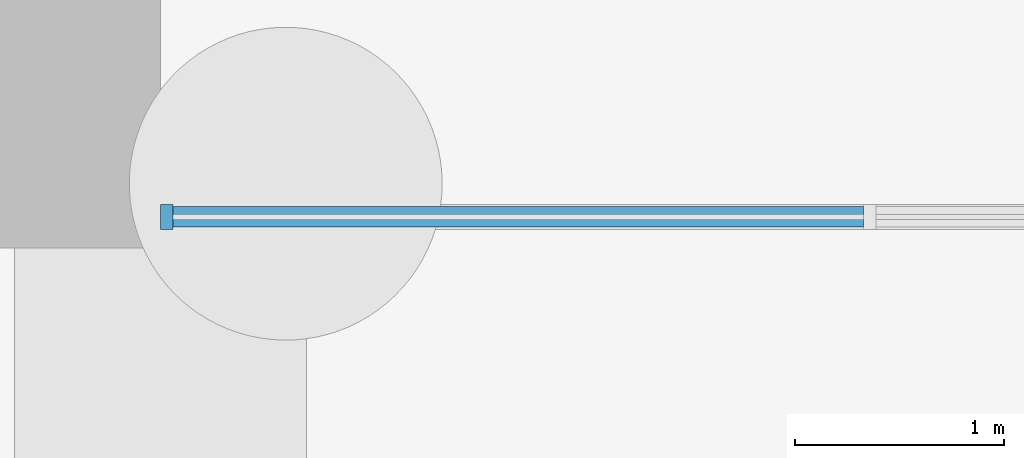
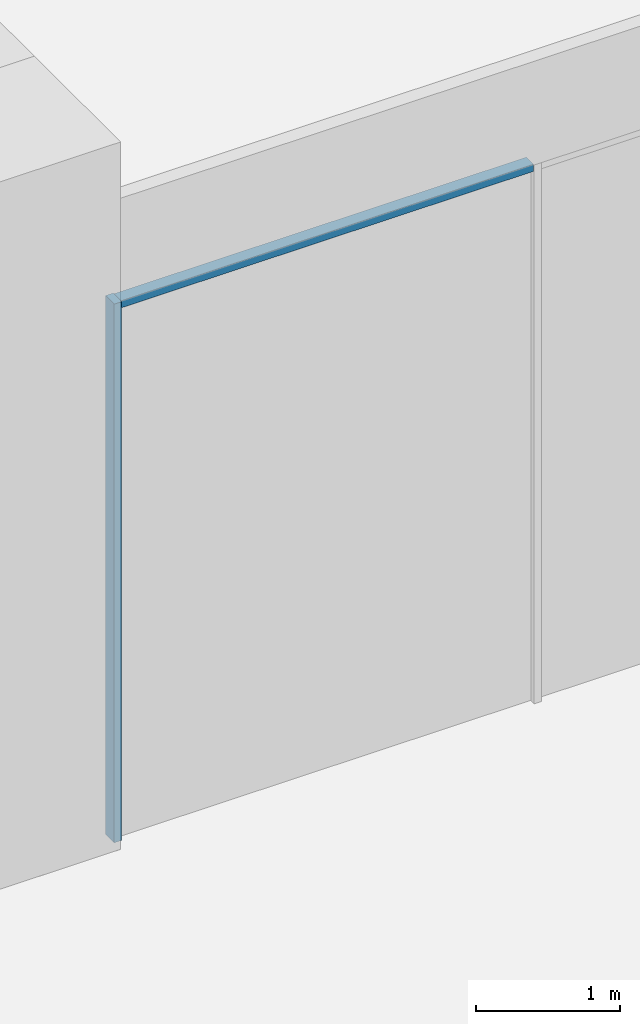
# One storey, part 20 of 46: 2 members, 1 element without a shape of its own.
"""IFC4 building model written with IfcOpenShell, lengths in metres."""

import ifcopenshell
import ifcopenshell.guid

model = None  # the IFC model being written
_history = None  # IfcOwnerHistory: only IFC2X3 demands one
_inside = {}  # id of a spatial element -> (the spatial element, [elements in it])
_under = {}  # id of a project, library or spatial element -> (it, [spatial elements below it])
_declared = {}  # id of a project -> (the project, [libraries it declares])
_typed = {}  # id of a type object -> (the type object, [elements of that type])
_made_of = {}  # id of a material, layer set ... -> (it, [elements and type objects made of it])


def new_model(schema):
    """Start an empty IFC model of exactly this schema.

    Asked for "IFC4X3", IfcOpenShell would pick the latest addendum, in which some entities
    have other attributes; the version numbers below select the first issue.
    IFC2X3 requires an IfcOwnerHistory on every rooted entity: one is made here for all.
    """
    global model, _history
    if schema == "IFC4X3":
        model = ifcopenshell.file(schema_version=(4, 3, 0, 0))
    else:
        model = ifcopenshell.file(schema=schema)
    _inside.clear()
    _under.clear()
    _declared.clear()
    _typed.clear()
    _made_of.clear()
    _history = None
    if model.schema == "IFC2X3":
        org = make("IfcOrganization", Name="unknown")
        user = make(
            "IfcPersonAndOrganization",
            ThePerson=make("IfcPerson", FamilyName="unknown"),
            TheOrganization=org,
        )
        app = make(
            "IfcApplication",
            ApplicationDeveloper=org,
            Version="unknown",
            ApplicationFullName="unknown",
            ApplicationIdentifier="unknown",
        )
        _history = make(
            "IfcOwnerHistory",
            OwningUser=user,
            OwningApplication=app,
            ChangeAction="ADDED",
            CreationDate=0,
        )
    return model


def make(cls, **values):
    """One entity of the class cls with the attributes given. An attribute that is None is left unset."""
    return model.create_entity(
        cls, **{name: value for name, value in values.items() if value is not None}
    )


def rooted(cls, **values):
    """An entity with a GlobalId (a new one), such as an element, a storey or a relation."""
    return make(cls, GlobalId=ifcopenshell.guid.new(), OwnerHistory=_history, **values)


def si_unit(unit_type, name, prefix=None):
    """IfcSIUnit, for example si_unit("LENGTHUNIT", "METRE", prefix="MILLI")."""
    return make("IfcSIUnit", UnitType=unit_type, Prefix=prefix, Name=name)


def assignment(units):
    """IfcUnitAssignment: the units of a project."""
    return None if units is None else make("IfcUnitAssignment", Units=units)


def point(xyz):
    """IfcCartesianPoint."""
    return None if xyz is None else make("IfcCartesianPoint", Coordinates=xyz)


def direction(xyz):
    """IfcDirection."""
    return None if xyz is None else make("IfcDirection", DirectionRatios=xyz)


def frame(location, z_axis=None, x_axis=None):
    """IfcAxis2Placement3D, a coordinate frame: its origin and axes. An axis left out is left unset."""
    return make(
        "IfcAxis2Placement3D",
        Location=point(location),
        Axis=direction(z_axis),
        RefDirection=direction(x_axis),
    )


def frame_2d(location, x_axis=None):
    """IfcAxis2Placement2D, a coordinate frame in the plane: its origin and x axis."""
    return make(
        "IfcAxis2Placement2D", Location=point(location), RefDirection=direction(x_axis)
    )


def origin():
    """The frame at (0, 0, 0) with its axes left unset."""
    return frame((0.0, 0.0, 0.0))


def origin_2d():
    """The frame at (0, 0) in the plane with its x axis left unset."""
    return frame_2d((0.0, 0.0))


def place(relative_to, where):
    """IfcLocalPlacement: puts the frame where relative to a parent placement (None: the world)."""
    return make(
        "IfcLocalPlacement", PlacementRelTo=relative_to, RelativePlacement=where
    )


def context(
    kind, dimensions, precision=None, world=None, true_north=None, identifier=None
):
    """IfcGeometricRepresentationContext, for example the 3D "Model" context."""
    return make(
        "IfcGeometricRepresentationContext",
        ContextIdentifier=identifier,
        ContextType=kind,
        CoordinateSpaceDimension=dimensions,
        Precision=precision,
        WorldCoordinateSystem=world,
        TrueNorth=true_north,
    )


def subcontext(parent, identifier, kind, view, scale=None):
    """IfcGeometricRepresentationSubContext, for example "Body" below "Model"."""
    return make(
        "IfcGeometricRepresentationSubContext",
        ContextIdentifier=identifier,
        ContextType=kind,
        ParentContext=parent,
        TargetScale=scale,
        TargetView=view,
    )


def project(units=None, contexts=None):
    """IfcProject with its units and contexts."""
    return rooted(
        "IfcProject",
        Name="project",
        RepresentationContexts=contexts,
        UnitsInContext=assignment(units),
    )


def spatial(cls, under=None, at=None, **own):
    """A site, building, storey or space (cls), placed at a placement, below another one or the project."""
    s = rooted(cls, ObjectPlacement=at, **own)
    if under is not None:
        _under.setdefault(under.id(), (under, []))[1].append(s)
    return s


def profile(cls, at=None, kind="AREA", **sizes):
    """A parametric profile (cls). Its sizes go by their IFC names, for example OverallWidth=200.0."""
    return make(cls, ProfileType=kind, Position=at, **sizes)


def rectangle(**sizes):
    """IfcRectangleProfileDef."""
    return profile("IfcRectangleProfileDef", **sizes)


def extrude(swept, where, along, depth):
    """IfcExtrudedAreaSolid: the profile swept, set in the frame where, extruded along a direction by depth."""
    return make(
        "IfcExtrudedAreaSolid",
        SweptArea=swept,
        Position=where,
        ExtrudedDirection=direction(along),
        Depth=depth,
    )


def shape(context_of_items, identifier, shape_type, items):
    """IfcShapeRepresentation: the items that make up one representation, for example the "Body"."""
    return make(
        "IfcShapeRepresentation",
        ContextOfItems=context_of_items,
        RepresentationIdentifier=identifier,
        RepresentationType=shape_type,
        Items=items,
    )


def material(Name=None, Category=None):
    """IfcMaterial."""
    return make("IfcMaterial", Name=Name, Category=Category)


def material_profile(
    of_material, cross_section, Name=None, Category=None, Priority=None
):
    """IfcMaterialProfile: a cross section and its material."""
    return make(
        "IfcMaterialProfile",
        Name=Name,
        Material=of_material,
        Profile=cross_section,
        Priority=Priority,
        Category=Category,
    )


def profile_set(profiles, Name=None, composite=None):
    """IfcMaterialProfileSet."""
    return make(
        "IfcMaterialProfileSet",
        Name=Name,
        MaterialProfiles=profiles,
        CompositeProfile=composite,
    )


def made_of(thing, what):
    """Note that an element or type object is made of a material, layer set ...; save() writes the relation."""
    if what is not None:
        _made_of.setdefault(what.id(), (what, []))[1].append(thing)
    return thing


def type_object(cls, material=None, **own):
    """A type object (cls), such as IfcWallType, which elements share."""
    return made_of(rooted(cls, **own), material)


def element(
    cls,
    number,
    at=None,
    inside=None,
    cuts=None,
    type_object=None,
    material=None,
    context=None,
    identifier="Body",
    shape_type=None,
    held_by="IfcProductDefinitionShape",
    body=None,
    shapes=None,
    **own,
):
    """One element of the class cls, such as IfcWall. Its Tag is "e" and its number.

    at: its placement. inside: the storey or other place that contains it. cuts: it is an
    opening in that element (IfcRelVoidsElement). A single representation is given by context,
    identifier, shape_type and body (its items); several are given by shapes. held_by: the class
    of the entity that holds the representations. save() writes the other relations.
    """
    e = rooted(cls, Tag="e%d" % number, ObjectPlacement=at, **own)
    if body is not None:
        shapes = [shape(context, identifier, shape_type, body)]
    if shapes is not None:
        e.Representation = make(held_by, Representations=shapes)
    if inside is not None:
        _inside.setdefault(inside.id(), (inside, []))[1].append(e)
    if cuts is not None:
        rooted(
            "IfcRelVoidsElement", RelatingBuildingElement=cuts, RelatedOpeningElement=e
        )
    if type_object is not None:
        _typed.setdefault(type_object.id(), (type_object, []))[1].append(e)
    return made_of(e, material)


def aggregate(whole, parts):
    """IfcRelAggregates: a whole, such as a stair, and the parts it consists of."""
    return rooted("IfcRelAggregates", RelatingObject=whole, RelatedObjects=parts)


def save(model, path):
    """Write the relations noted so far, then the file.

    IfcRelAggregates (storeys below a building ...), IfcRelContainedInSpatialStructure (elements
    in a storey), IfcRelDefinesByType, IfcRelAssociatesMaterial and IfcRelDeclares: one each for
    every whole, place, type object, material and project.
    """
    for whole, parts in _under.values():
        aggregate(whole, parts)
    for where, things in _inside.values():
        rooted(
            "IfcRelContainedInSpatialStructure",
            RelatedElements=things,
            RelatingStructure=where,
        )
    for kind, things in _typed.values():
        rooted("IfcRelDefinesByType", RelatedObjects=things, RelatingType=kind)
    for what, things in _made_of.values():
        rooted("IfcRelAssociatesMaterial", RelatedObjects=things, RelatingMaterial=what)
    for by, libraries in _declared.values():
        rooted("IfcRelDeclares", RelatingContext=by, RelatedDefinitions=libraries)
    model.write(path)


model = new_model("IFC4")

# Units and contexts
model_context = context("Model", 3, precision=1e-05, world=origin(), true_north=direction((0.0, 1.0)))
body_context = subcontext(model_context, "Body", "Model", "MODEL_VIEW")
ifc_project = project(units=[si_unit("LENGTHUNIT", "METRE"), si_unit("AREAUNIT", "SQUARE_METRE"), si_unit("VOLUMEUNIT", "CUBIC_METRE"), si_unit("PLANEANGLEUNIT", "RADIAN"), si_unit("MASSUNIT", "GRAM", prefix="KILO")], contexts=[model_context])

# Site, building, storey
site_placement = place(None, origin())
site = spatial("IfcSite", under=ifc_project, at=site_placement, CompositionType="ELEMENT")
building_placement = place(site_placement, origin())
building = spatial("IfcBuilding", under=site, at=building_placement, Name="Mangrove Gate Tower", CompositionType="ELEMENT")
storey_placement = place(building_placement, origin())
storey = spatial("IfcBuildingStorey", under=building, at=storey_placement, Name="L00", CompositionType="ELEMENT", Elevation=0.0)

# Curtain wall, members
ifc_material_1 = material(Name="Aluminium and glass curtain wall", Category="aluminium")
curtain_wall_type = type_object("IfcCurtainWallType", Name="Podium shopfront glazing wall", PredefinedType="NOTDEFINED", material=ifc_material_1)
curtain_wall_placement = place(storey_placement, origin())
curtain_wall = element("IfcCurtainWall", 1, at=curtain_wall_placement, inside=storey, type_object=curtain_wall_type, Name="Podium shopfront glazing S8s1", PredefinedType="NOTDEFINED")
ifc_material_2 = material(Name="Aluminium alloy 6063-T6", Category="aluminium")
ifc_material_profile_1 = material_profile(ifc_material_2, rectangle(XDim=0.06005859375, YDim=0.1201171875, at=origin_2d()))
ifc_profile_set_1 = profile_set([ifc_material_profile_1], Name="Aluminium alloy 6063-T6")
member_type_1 = type_object("IfcMemberType", Name="Podium shopfront glazing mullion 60x120", PredefinedType="MULLION", material=ifc_profile_set_1)
member_1_placement = place(storey_placement, frame((15.030029296875, -11.85009765625, 0.0), z_axis=(0.0, 0.0, 1.0), x_axis=(1.0, 0.0, 0.0)))
member_1 = element("IfcMember", 2, at=member_1_placement, type_object=member_type_1, Name="CWS mullion 1", PredefinedType="MULLION", context=body_context, shape_type="SweptSolid", body=[
    extrude(rectangle(XDim=0.06005859375, YDim=0.1201171875, at=origin_2d()), origin(), (0.0, 0.0, 1.0), 4.570068359375),
])
ifc_material_3 = material(Name="Aluminium alloy 6063-T6", Category="aluminium")
ifc_material_profile_2 = material_profile(ifc_material_3, rectangle(XDim=0.06005859375, YDim=0.10009765625, at=origin_2d()))
ifc_profile_set_2 = profile_set([ifc_material_profile_2], Name="Aluminium alloy 6063-T6")
member_type_2 = type_object("IfcMemberType", Name="Podium shopfront glazing transom 60x100", PredefinedType="USERDEFINED", material=ifc_profile_set_2)
member_2_placement = place(storey_placement, frame((15.06005859375, -11.85009765625, 4.5400390625), z_axis=(1.0, 0.0, 0.0), x_axis=(0.0, 0.0, 1.0)))
member_2 = element("IfcMember", 3, at=member_2_placement, type_object=member_type_2, Name="CWS transom 1.2", ObjectType="TRANSOM", PredefinedType="USERDEFINED", context=body_context, shape_type="SweptSolid", body=[
    extrude(rectangle(XDim=0.06005859375, YDim=0.10009765625, at=origin_2d()), origin(), (0.0, 0.0, 1.0), 3.31005859375),
])
aggregate(curtain_wall, [member_1, member_2])

save(model, "model.ifc")
